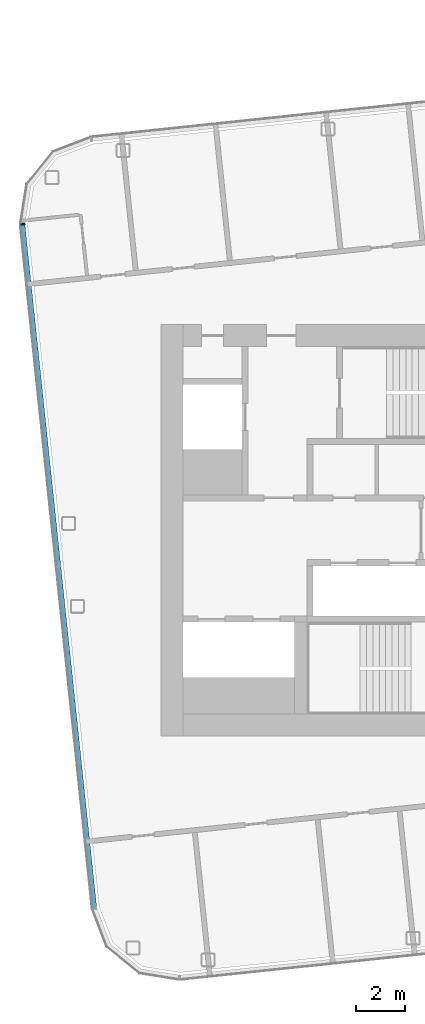
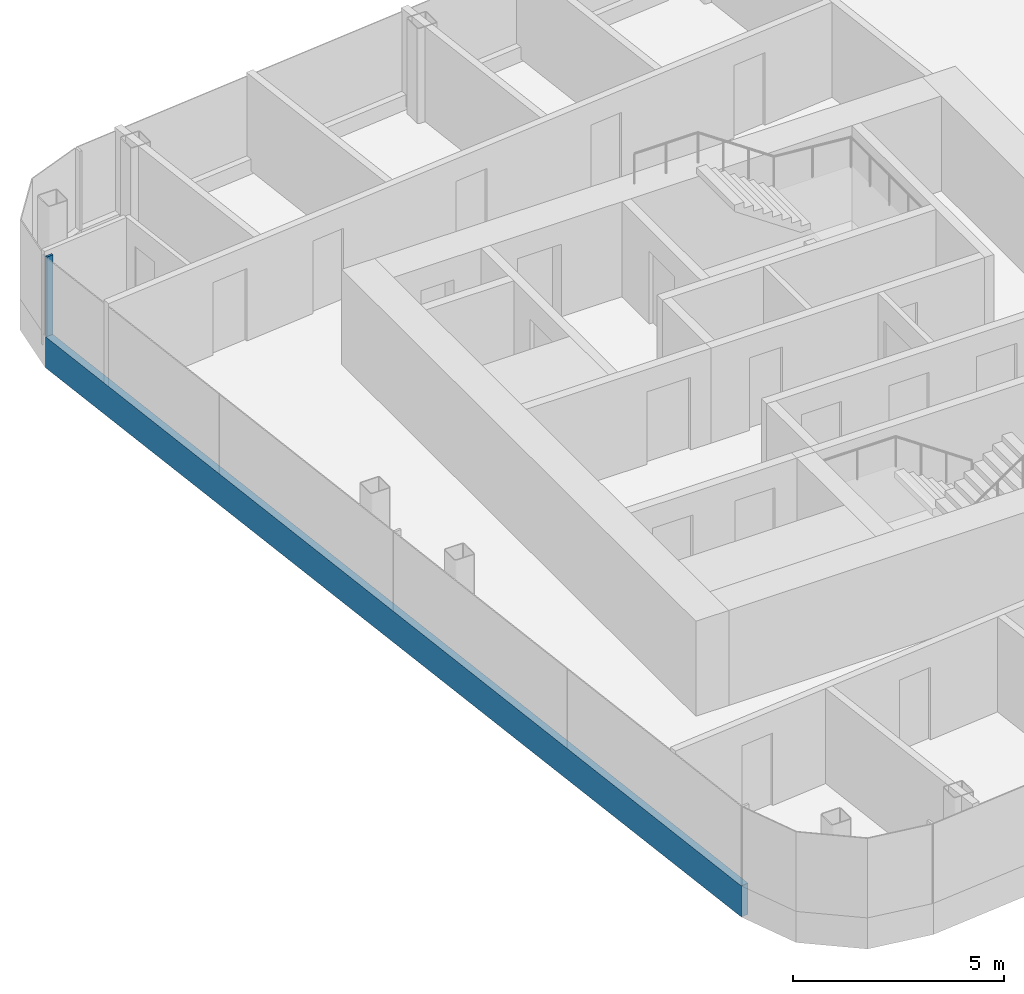
# One storey, part 4 of 27: 2 members, 1 element without a shape of its own.
"""IFC4 building model written with IfcOpenShell, lengths in metres."""

from ifc_helpers import new_model, si_unit, direction, frame, origin, origin_2d, place, context, subcontext, project, spatial, rectangle, extrude, material, layer, layer_set, material_profile, profile_set, type_object, element, aggregate, save


model = new_model("IFC4")

# Units and contexts
model_context = context("Model", 3, precision=1e-05, world=origin(), true_north=direction((0.0, 1.0)))
body_context = subcontext(model_context, "Body", "Model", "MODEL_VIEW")
ifc_project = project(units=[si_unit("LENGTHUNIT", "METRE"), si_unit("AREAUNIT", "SQUARE_METRE"), si_unit("VOLUMEUNIT", "CUBIC_METRE"), si_unit("PLANEANGLEUNIT", "RADIAN"), si_unit("MASSUNIT", "GRAM", prefix="KILO")], contexts=[model_context])

# Site, building, storey
site_placement = place(None, origin())
site = spatial("IfcSite", under=ifc_project, at=site_placement, CompositionType="ELEMENT")
building_placement = place(site_placement, origin())
building = spatial("IfcBuilding", under=site, at=building_placement, Name="Hakoniwa Tower and Hamabe Station Hall", CompositionType="ELEMENT")
storey_placement = place(building_placement, frame((0.0, 0.0, 248.60009765625)))
storey = spatial("IfcBuildingStorey", under=building, at=storey_placement, Name="L70", CompositionType="ELEMENT", Elevation=248.60009765625)

# Curtain wall, members
ifc_material_1 = material(Name="Dark low-e laminated glass", Category="glass")
ifc_layer = layer(ifc_material_1, 0.199951171875)
ifc_layer_set = layer_set([ifc_layer], Name="CW-1 UNITISED GUEST")
curtain_wall_type = type_object("IfcCurtainWallType", Name="CW-1 UNITISED GUEST", PredefinedType="NOTDEFINED", material=ifc_layer_set)
curtain_wall_placement = place(storey_placement, origin())
curtain_wall = element("IfcCurtainWall", 1, at=curtain_wall_placement, inside=storey, type_object=curtain_wall_type, Name="CW-1 curtain wall", PredefinedType="NOTDEFINED")
ifc_material_2 = material(Name="Aluminium 6063-T5 black anodised", Category="aluminium")
ifc_material_profile_1 = material_profile(ifc_material_2, rectangle(XDim=0.199951171875, YDim=0.89990234375, at=origin_2d()), Name="CW SLAB-EDGE BAND 900X200")
ifc_profile_set_1 = profile_set([ifc_material_profile_1], Name="Aluminium 6063-T5 black anodised")
member_type_1 = type_object("IfcMemberType", Name="CW SLAB-EDGE BAND 900X200", PredefinedType="USERDEFINED", material=ifc_profile_set_1)
member_1_placement = place(storey_placement, frame((-39.25927734375, 12.490478515625, -0.10009765625), z_axis=(0.104529086463, -0.994521829868, 0.0), x_axis=(0.994521829868, 0.104529086463, 0.0)))
member_1 = element("IfcMember", 2, at=member_1_placement, type_object=member_type_1, Name="CW-1 transom", ObjectType="TRANSOM", PredefinedType="USERDEFINED", context=body_context, shape_type="SweptSolid", body=[
    extrude(rectangle(XDim=0.199951171875, YDim=0.89990234375, at=origin_2d()), origin(), (0.0, 0.0, 1.0), 28.078857421875),
])
ifc_material_3 = material(Name="Aluminium 6063-T5 black anodised", Category="aluminium")
ifc_material_profile_2 = material_profile(ifc_material_3, rectangle(XDim=0.06005859375, YDim=0.179931640625, at=origin_2d()), Name="CW-1 MULLION 60X180")
ifc_profile_set_2 = profile_set([ifc_material_profile_2], Name="Aluminium 6063-T5 black anodised")
member_type_2 = type_object("IfcMemberType", Name="CW-1 MULLION 60X180", PredefinedType="MULLION", material=ifc_profile_set_2)
member_2_placement = place(storey_placement, frame((-39.241455078125, 12.492431640625, 0.349853515625), z_axis=(0.0, 0.0, 1.0), x_axis=(0.104528468631, -0.994521894805, 0.0)))
member_2 = element("IfcMember", 3, at=member_2_placement, type_object=member_type_2, Name="CW-1 mullion", PredefinedType="MULLION", context=body_context, shape_type="SweptSolid", body=[
    extrude(rectangle(XDim=0.06005859375, YDim=0.179931640625, at=origin_2d()), origin(), (0.0, 0.0, 1.0), 2.300048828125),
])
aggregate(curtain_wall, [member_2, member_1])

save(model, "model.ifc")
